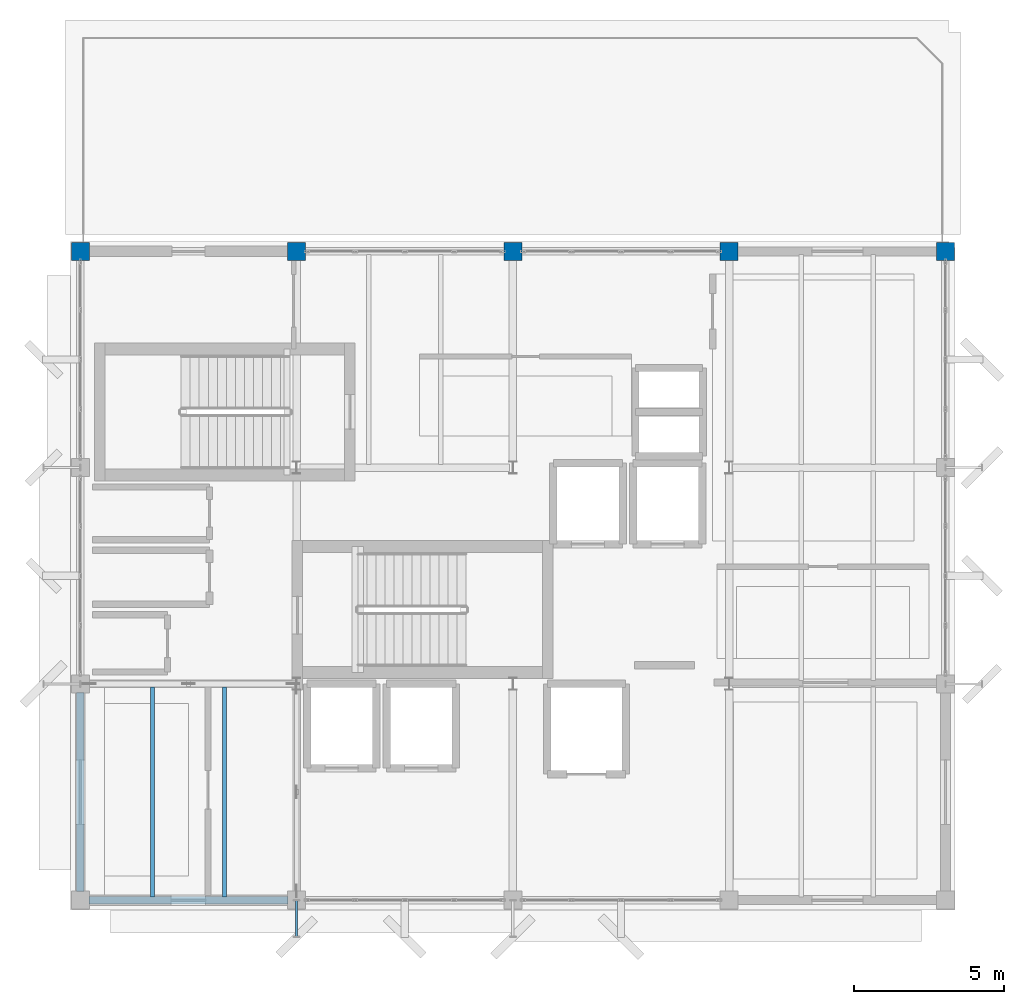
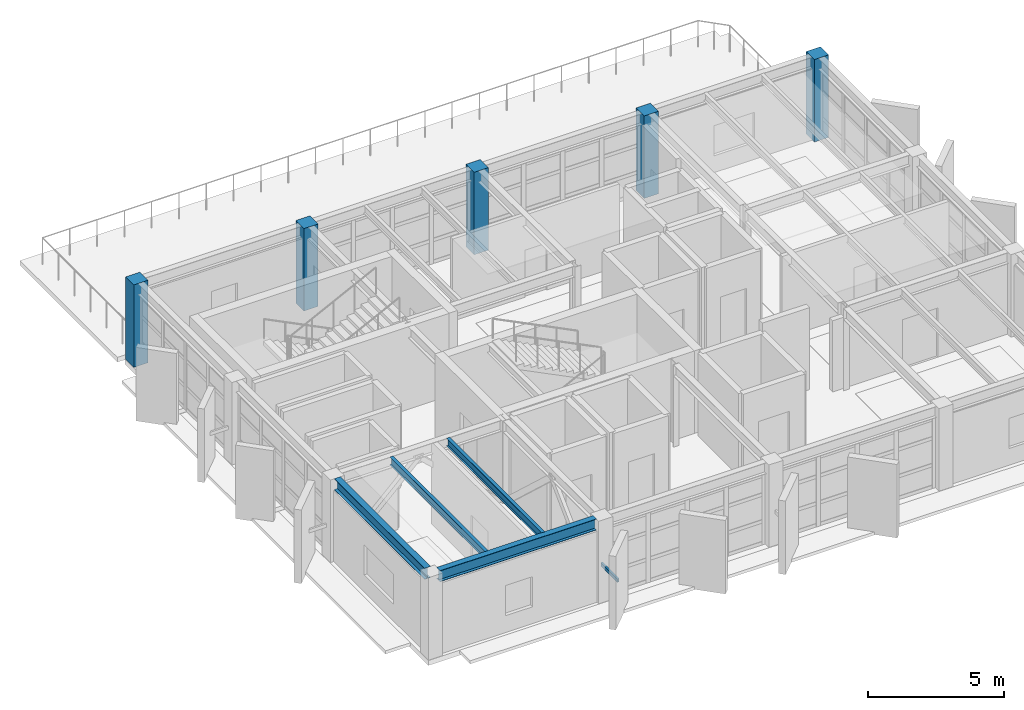
# One storey, part 2 of 16: 5 columns, 4 beams, 1 member.
"""IFC4 building model written with IfcOpenShell, lengths in metres."""

from ifc_helpers import new_model, si_unit, direction, frame, origin, origin_2d, place, context, subcontext, project, spatial, rectangle, hollow_rectangle, i_section, extrude, material, material_profile, profile_set, type_object, element, save


model = new_model("IFC4")

# Units and contexts
model_context = context("Model", 3, precision=1e-05, world=origin(), true_north=direction((0.0, 1.0)))
body_context = subcontext(model_context, "Body", "Model", "MODEL_VIEW")
ifc_project = project(units=[si_unit("LENGTHUNIT", "METRE"), si_unit("AREAUNIT", "SQUARE_METRE"), si_unit("VOLUMEUNIT", "CUBIC_METRE"), si_unit("PLANEANGLEUNIT", "RADIAN"), si_unit("MASSUNIT", "GRAM", prefix="KILO")], contexts=[model_context])

# Site, building, storey
site_placement = place(None, origin())
site = spatial("IfcSite", under=ifc_project, at=site_placement, CompositionType="ELEMENT")
building_placement = place(site_placement, origin())
building = spatial("IfcBuilding", under=site, at=building_placement, Name="Kandorven Conservatory and Botanical Research Centre", CompositionType="ELEMENT")
storey_placement = place(building_placement, frame((0.0, 0.0, 44.39990234375)))
storey = spatial("IfcBuildingStorey", under=building, at=storey_placement, Name="L11", CompositionType="ELEMENT", Elevation=44.39990234375)

# Columns
ifc_material_1 = material(Name="Concrete C40/50 (M50)", Category="concrete")
ifc_material_profile_1 = material_profile(ifc_material_1, rectangle(XDim=0.60009765625, YDim=0.60009765625, at=origin_2d()))
ifc_profile_set_1 = profile_set([ifc_material_profile_1], Name="Concrete C40/50 (M50)")
column_type = type_object("IfcColumnType", Name="Col_TC-04", PredefinedType="COLUMN", material=ifc_profile_set_1)
for number, where, z_axis, x_axis, name in (
    (1, (6.0, 27.60009765625, 0.0), (0.0, 0.0, 1.0), (1.0, 0.0, 0.0), "Column TC-04 TWR L11 (1,4)"),
    (2, (13.199951171875, 27.60009765625, 0.0), (0.0, 0.0, 1.0), (1.0, 0.0, 0.0), "Column TC-04 TWR L11 (2,4)"),
    (3, (20.39990234375, 27.60009765625, 0.0), (0.0, 0.0, 1.0), (1.0, 0.0, 0.0), "Column TC-04 TWR L11 (3,4)"),
    (4, (27.60009765625, 27.60009765625, 0.0), (0.0, 0.0, 1.0), (1.0, 0.0, 0.0), "Column TC-04 TWR L11 (4,4)"),
    (5, (34.800048828125, 27.60009765625, 0.0), (0.0, 0.0, 1.0), (1.0, 0.0, 0.0), "Column TC-04 TWR L11 (5,4)"),
):
    element("IfcColumn", number, at=place(storey_placement, frame(where, z_axis=z_axis, x_axis=x_axis)), inside=storey, type_object=column_type, Name=name, PredefinedType="COLUMN", context=body_context, shape_type="SweptSolid", body=[
        extrude(rectangle(XDim=0.60009765625, YDim=0.60009765625, at=origin_2d()), origin(), (0.0, 0.0, 1.0), 3.690185546875),
    ])

# Beams
ifc_material_2 = material(Name="Steel S355 (IS 2062 E350)", Category="steel")
ifc_material_profile_2 = material_profile(ifc_material_2, i_section(OverallWidth=0.25, OverallDepth=0.5, WebThickness=0.010009765625, FlangeThickness=0.0146484375, at=origin_2d()))
ifc_profile_set_2 = profile_set([ifc_material_profile_2], Name="Steel S355 (IS 2062 E350)")
beam_type_1 = type_object("IfcBeamType", Name="Beam_FG-02", PredefinedType="USERDEFINED", material=ifc_profile_set_2)
for number, where, z_axis, x_axis, name in (
    (6, (6.2900390625, 6.0, 3.440185546875), (1.0, 0.0, 0.0), (0.0, 1.0, 0.0), "Primary girder FG-02 TWR L11"),
    (7, (6.0, 6.2900390625, 3.440185546875), (0.0, 1.0, 0.0), (-1.0, 0.0, 0.0), "Primary girder FG-02 TWR L11"),
):
    element("IfcBeam", number, at=place(storey_placement, frame(where, z_axis=z_axis, x_axis=x_axis)), inside=storey, type_object=beam_type_1, Name=name, ObjectType="GIRDER", PredefinedType="USERDEFINED", context=body_context, shape_type="SweptSolid", body=[
        extrude(i_section(OverallWidth=0.25, OverallDepth=0.5, WebThickness=0.010009765625, FlangeThickness=0.0146484375, at=origin_2d()), origin(), (0.0, 0.0, 1.0), 6.619873046875),
    ])
ifc_material_3 = material(Name="Steel S355 (IS 2062 E350)", Category="steel")
ifc_material_profile_3 = material_profile(ifc_material_3, i_section(OverallWidth=0.139892578125, OverallDepth=0.35009765625, WebThickness=0.008056640625, FlangeThickness=0.01416015625, at=origin_2d()))
ifc_profile_set_3 = profile_set([ifc_material_profile_3], Name="Steel S355 (IS 2062 E350)")
beam_type_2 = type_object("IfcBeamType", Name="Beam_SB-06", PredefinedType="BEAM", material=ifc_profile_set_3)
for number, where, z_axis, x_axis, name in (
    (8, (8.39990234375, 6.110107421875, 3.51513671875), (0.0, 1.0, 0.0), (-1.0, 0.0, 0.0), "Composite secondary beam SB-06 TWR L11"),
    (9, (10.800048828125, 6.110107421875, 3.51513671875), (0.0, 1.0, 0.0), (-1.0, 0.0, 0.0), "Composite secondary beam SB-06 TWR L11"),
):
    element("IfcBeam", number, at=place(storey_placement, frame(where, z_axis=z_axis, x_axis=x_axis)), inside=storey, type_object=beam_type_2, Name=name, PredefinedType="BEAM", context=body_context, shape_type="SweptSolid", body=[
        extrude(i_section(OverallWidth=0.139892578125, OverallDepth=0.35009765625, WebThickness=0.008056640625, FlangeThickness=0.01416015625, at=origin_2d()), origin(), (0.0, 0.0, 1.0), 6.97998046875),
    ])

# Member
ifc_material_4 = material(Name="Steel S355 (IS 2062 E350)", Category="steel")
ifc_material_profile_4 = material_profile(ifc_material_4, hollow_rectangle(XDim=0.074951171875, YDim=0.14990234375, WallThickness=0.006103515625, at=origin_2d()))
ifc_profile_set_4 = profile_set([ifc_material_profile_4], Name="Steel S355 (IS 2062 E350)")
member_type = type_object("IfcMemberType", Name="Mem_SF-01", PredefinedType="STRUT", material=ifc_profile_set_4)
member_placement = place(storey_placement, frame((13.199951171875, 6.0, 1.5), z_axis=(0.0, -1.0, 0.0), x_axis=(1.0, 0.0, 0.0)))
element("IfcMember", 10, at=member_placement, inside=storey, type_object=member_type, Name="Solar fin steel outrigger strut SF-01 #85", PredefinedType="STRUT", context=body_context, shape_type="SweptSolid", body=[
    extrude(hollow_rectangle(XDim=0.074951171875, YDim=0.14990234375, WallThickness=0.006103515625, at=origin_2d()), origin(), (0.0, 0.0, 1.0), 1.219970703125),
])

save(model, "model.ifc")
